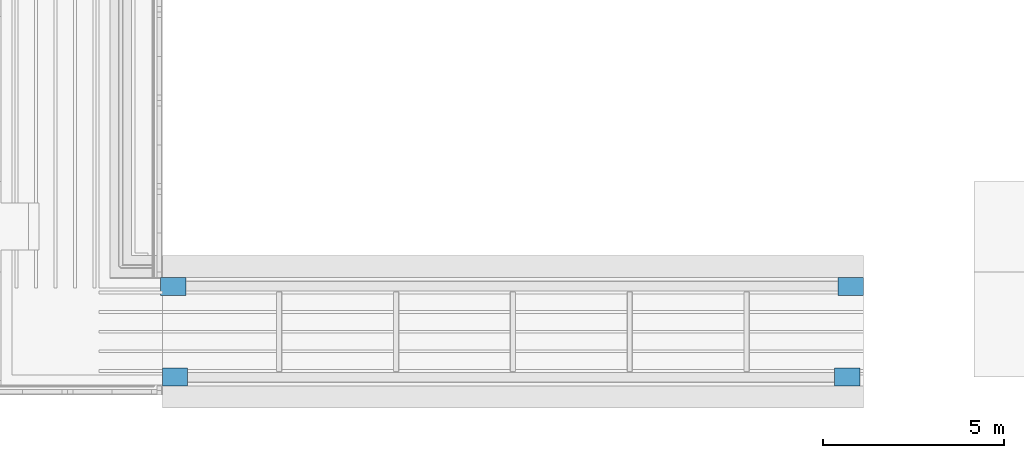
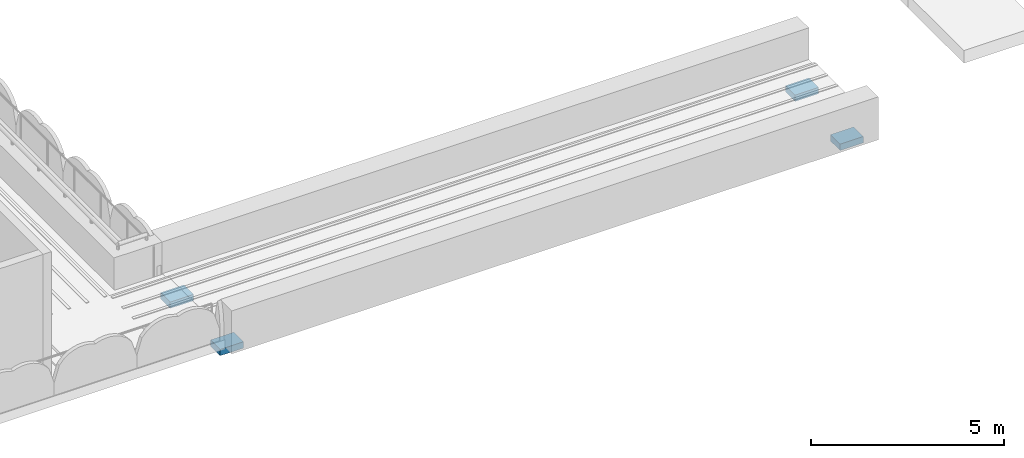
# One storey, part 54 of 65: 4 discrete accessories.
"""IFC4 building model written with IfcOpenShell, lengths in metres."""

from ifc_helpers import new_model, si_unit, direction, frame, origin, origin_2d, place, context, subcontext, project, spatial, rectangle, extrude, material, type_object, element, save


model = new_model("IFC4")

# Units and contexts
model_context = context("Model", 3, precision=1e-05, world=origin(), true_north=direction((0.0, 1.0)))
body_context = subcontext(model_context, "Body", "Model", "MODEL_VIEW")
ifc_project = project(units=[si_unit("LENGTHUNIT", "METRE"), si_unit("AREAUNIT", "SQUARE_METRE"), si_unit("VOLUMEUNIT", "CUBIC_METRE"), si_unit("PLANEANGLEUNIT", "RADIAN"), si_unit("MASSUNIT", "GRAM", prefix="KILO")], contexts=[model_context])

# Site, building, storey
site_placement = place(None, origin())
site = spatial("IfcSite", under=ifc_project, at=site_placement, CompositionType="ELEMENT")
building_placement = place(site_placement, origin())
building = spatial("IfcBuilding", under=site, at=building_placement, Name="Elbe Cascade School", CompositionType="ELEMENT")
storey_placement = place(building_placement, frame((0.0, 0.0, 11.699951171875)))
storey = spatial("IfcBuildingStorey", under=building, at=storey_placement, Name="L03", CompositionType="ELEMENT", Elevation=11.699951171875)

# Discrete accessories
ifc_material = material(Name="Steel S355J2, hot-dip galvanised", Category="steel")
discrete_accessory_type = type_object("IfcDiscreteAccessoryType", Name="Bridge bearing block 700x500x200", PredefinedType="BRACKET", material=ifc_material)
for number, where, z_axis, x_axis, name in (
    (1, (145.89990234375, 6.25, -0.66015625), (0.0, 0.0, 1.0), (1.0, 0.0, 0.0), "Bridge C-D bearing block 1 west"),
    (2, (164.449951171875, 6.25, -0.66015625), (0.0, 0.0, 1.0), (1.0, 0.0, 0.0), "Bridge C-D bearing block 1 east"),
    (3, (145.85009765625, 8.75, -0.66015625), (0.0, 0.0, 1.0), (1.0, 0.0, 0.0), "Bridge C-D bearing block 2 west"),
    (4, (164.550048828125, 8.75, -0.66015625), (0.0, 0.0, 1.0), (1.0, 0.0, 0.0), "Bridge C-D bearing block 2 east"),
):
    element("IfcDiscreteAccessory", number, at=place(storey_placement, frame(where, z_axis=z_axis, x_axis=x_axis)), inside=storey, type_object=discrete_accessory_type, Name=name, PredefinedType="BRACKET", context=body_context, shape_type="SweptSolid", body=[
        extrude(rectangle(XDim=0.699951171875, YDim=0.5, at=origin_2d()), origin(), (0.0, 0.0, 1.0), 0.199951171875),
    ])

save(model, "model.ifc")
